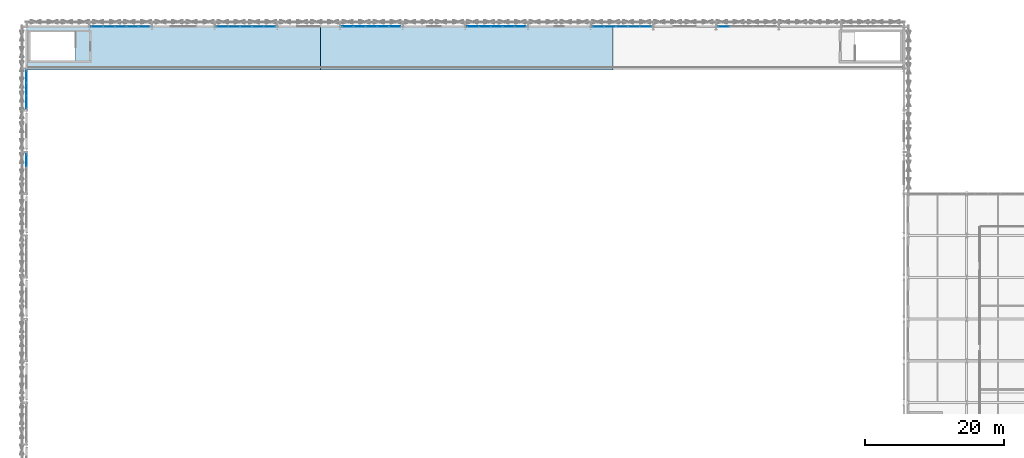
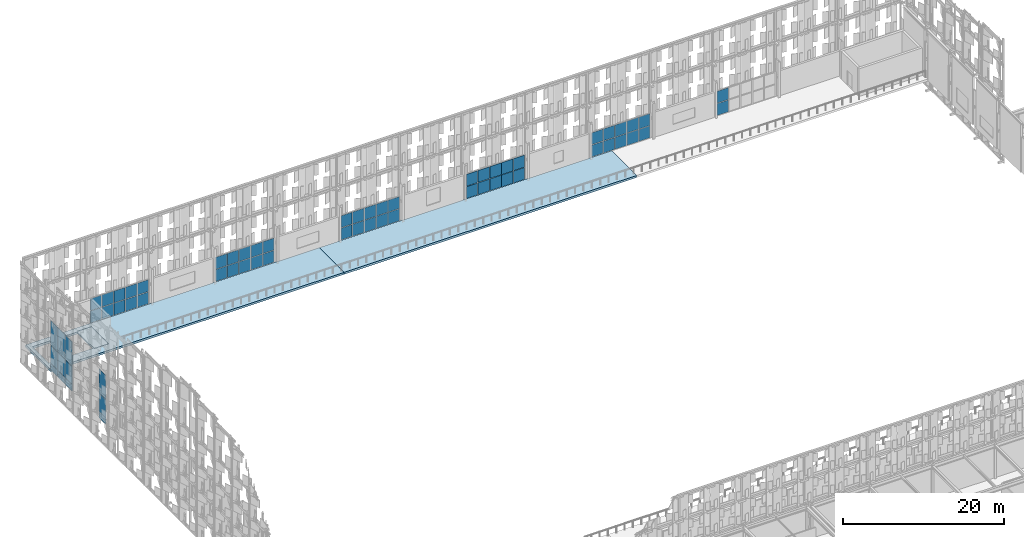
# One storey, part 140 of 210: 64 plates, 3 slabs, 8 elements without a shape of their own.
"""IFC4 building model written with IfcOpenShell, lengths in metres."""

from ifc_helpers import new_model, si_unit, direction, frame, origin, origin_2d, place, context, subcontext, project, spatial, polyline, rectangle, outline, extrude, material, layer, layer_set, type_object, element, aggregate, save


model = new_model("IFC4")

# Units and contexts
model_context = context("Model", 3, precision=1e-05, world=origin(), true_north=direction((0.0, 1.0)))
body_context = subcontext(model_context, "Body", "Model", "MODEL_VIEW")
ifc_project = project(units=[si_unit("LENGTHUNIT", "METRE"), si_unit("AREAUNIT", "SQUARE_METRE"), si_unit("VOLUMEUNIT", "CUBIC_METRE"), si_unit("PLANEANGLEUNIT", "RADIAN"), si_unit("MASSUNIT", "GRAM", prefix="KILO")], contexts=[model_context])

# Site, building, storey
site_placement = place(None, origin())
site = spatial("IfcSite", under=ifc_project, at=site_placement, CompositionType="ELEMENT")
building_placement = place(site_placement, origin())
building = spatial("IfcBuilding", under=site, at=building_placement, Name="Kaldris Quays Convention Centre", CompositionType="ELEMENT")
storey_placement = place(building_placement, frame((0.0, 0.0, 6.0)))
storey = spatial("IfcBuildingStorey", under=building, at=storey_placement, Name="L01", CompositionType="ELEMENT", Elevation=6.0)

# Curtain wall, plates
ifc_material_1 = material(Name="Anodized aluminium AW-6060 and triple glazing", Category="aluminium")
curtain_wall_type_1 = type_object("IfcCurtainWallType", Name="UNITISED CURTAIN WALL CW05", PredefinedType="NOTDEFINED", material=ifc_material_1)
curtain_wall_1_placement = place(storey_placement, origin())
curtain_wall_1 = element("IfcCurtainWall", 1, at=curtain_wall_1_placement, inside=storey, type_object=curtain_wall_type_1, Name="L01 Unitised Curtain Wall CW05 2", PredefinedType="NOTDEFINED")
ifc_material_2 = material(Name="Triple low-E insulated glazing", Category="glass")
plate_type_1 = type_object("IfcPlateType", Name="CURTAIN GLAZING PANEL CWP2", PredefinedType="CURTAIN_PANEL", material=ifc_material_2)
plate_1_placement = place(storey_placement, frame((30.114990234375, 140.0, 0.06005859375), z_axis=(0.0, 0.0, 1.0), x_axis=(1.0, 0.0, 0.0)))
plate_1 = element("IfcPlate", 2, at=plate_1_placement, type_object=plate_type_1, Name="CW05 panel 1.1", PredefinedType="CURTAIN_PANEL", context=body_context, shape_type="SweptSolid", body=[
    extrude(rectangle(XDim=1.610107421875, YDim=0.033935546875, at=origin_2d()), origin(), (0.0, 0.0, 1.0), 1.81005859375),
])
plate_2_placement = place(storey_placement, frame((30.114990234375, 140.0, 1.929931640625), z_axis=(0.0, 0.0, 1.0), x_axis=(1.0, 0.0, 0.0)))
plate_2 = element("IfcPlate", 3, at=plate_2_placement, type_object=plate_type_1, Name="CW05 panel 1.2", PredefinedType="CURTAIN_PANEL", context=body_context, shape_type="SweptSolid", body=[
    extrude(rectangle(XDim=1.610107421875, YDim=0.033935546875, at=origin_2d()), origin(), (0.0, 0.0, 1.0), 1.81005859375),
])
plate_3_placement = place(storey_placement, frame((31.800048828125, 140.0, 0.06005859375), z_axis=(0.0, 0.0, 1.0), x_axis=(1.0, 0.0, 0.0)))
plate_3 = element("IfcPlate", 4, at=plate_3_placement, type_object=plate_type_1, Name="CW05 panel 2.1", PredefinedType="CURTAIN_PANEL", context=body_context, shape_type="SweptSolid", body=[
    extrude(rectangle(XDim=1.639892578125, YDim=0.033935546875, at=origin_2d()), origin(), (0.0, 0.0, 1.0), 1.81005859375),
])
plate_4_placement = place(storey_placement, frame((31.800048828125, 140.0, 1.929931640625), z_axis=(0.0, 0.0, 1.0), x_axis=(1.0, 0.0, 0.0)))
plate_4 = element("IfcPlate", 5, at=plate_4_placement, type_object=plate_type_1, Name="CW05 panel 2.2", PredefinedType="CURTAIN_PANEL", context=body_context, shape_type="SweptSolid", body=[
    extrude(rectangle(XDim=1.639892578125, YDim=0.033935546875, at=origin_2d()), origin(), (0.0, 0.0, 1.0), 1.81005859375),
])
plate_5_placement = place(storey_placement, frame((33.5, 140.0, 0.06005859375), z_axis=(0.0, 0.0, 1.0), x_axis=(1.0, 0.0, 0.0)))
plate_5 = element("IfcPlate", 6, at=plate_5_placement, type_object=plate_type_1, Name="CW05 panel 3.1", PredefinedType="CURTAIN_PANEL", context=body_context, shape_type="SweptSolid", body=[
    extrude(rectangle(XDim=1.639892578125, YDim=0.033935546875, at=origin_2d()), origin(), (0.0, 0.0, 1.0), 1.81005859375),
])
plate_6_placement = place(storey_placement, frame((33.5, 140.0, 1.929931640625), z_axis=(0.0, 0.0, 1.0), x_axis=(1.0, 0.0, 0.0)))
plate_6 = element("IfcPlate", 7, at=plate_6_placement, type_object=plate_type_1, Name="CW05 panel 3.2", PredefinedType="CURTAIN_PANEL", context=body_context, shape_type="SweptSolid", body=[
    extrude(rectangle(XDim=1.639892578125, YDim=0.033935546875, at=origin_2d()), origin(), (0.0, 0.0, 1.0), 1.81005859375),
])
plate_7_placement = place(storey_placement, frame((35.199951171875, 140.0, 0.06005859375), z_axis=(0.0, 0.0, 1.0), x_axis=(1.0, 0.0, 0.0)))
plate_7 = element("IfcPlate", 8, at=plate_7_placement, type_object=plate_type_1, Name="CW05 panel 4.1", PredefinedType="CURTAIN_PANEL", context=body_context, shape_type="SweptSolid", body=[
    extrude(rectangle(XDim=1.639892578125, YDim=0.033935546875, at=origin_2d()), origin(), (0.0, 0.0, 1.0), 1.81005859375),
])
plate_8_placement = place(storey_placement, frame((35.199951171875, 140.0, 1.929931640625), z_axis=(0.0, 0.0, 1.0), x_axis=(1.0, 0.0, 0.0)))
plate_8 = element("IfcPlate", 9, at=plate_8_placement, type_object=plate_type_1, Name="CW05 panel 4.2", PredefinedType="CURTAIN_PANEL", context=body_context, shape_type="SweptSolid", body=[
    extrude(rectangle(XDim=1.639892578125, YDim=0.033935546875, at=origin_2d()), origin(), (0.0, 0.0, 1.0), 1.81005859375),
])
plate_9_placement = place(storey_placement, frame((36.885009765625, 140.0, 0.06005859375), z_axis=(0.0, 0.0, 1.0), x_axis=(1.0, 0.0, 0.0)))
plate_9 = element("IfcPlate", 10, at=plate_9_placement, type_object=plate_type_1, Name="CW05 panel 5.1", PredefinedType="CURTAIN_PANEL", context=body_context, shape_type="SweptSolid", body=[
    extrude(rectangle(XDim=1.610107421875, YDim=0.033935546875, at=origin_2d()), origin(), (0.0, 0.0, 1.0), 1.81005859375),
])
plate_10_placement = place(storey_placement, frame((36.885009765625, 140.0, 1.929931640625), z_axis=(0.0, 0.0, 1.0), x_axis=(1.0, 0.0, 0.0)))
plate_10 = element("IfcPlate", 11, at=plate_10_placement, type_object=plate_type_1, Name="CW05 panel 5.2", PredefinedType="CURTAIN_PANEL", context=body_context, shape_type="SweptSolid", body=[
    extrude(rectangle(XDim=1.610107421875, YDim=0.033935546875, at=origin_2d()), origin(), (0.0, 0.0, 1.0), 1.81005859375),
])
aggregate(curtain_wall_1, [plate_1, plate_2, plate_3, plate_4, plate_5, plate_6, plate_7, plate_8, plate_9, plate_10])

curtain_wall_2_placement = place(storey_placement, origin())
curtain_wall_2 = element("IfcCurtainWall", 12, at=curtain_wall_2_placement, inside=storey, type_object=curtain_wall_type_1, Name="L01 Unitised Curtain Wall CW05 10", PredefinedType="NOTDEFINED")
plate_11_placement = place(storey_placement, frame((102.114990234375, 140.0, 0.06005859375), z_axis=(0.0, 0.0, 1.0), x_axis=(1.0, 0.0, 0.0)))
plate_11 = element("IfcPlate", 13, at=plate_11_placement, type_object=plate_type_1, Name="CW05 panel 1.1", PredefinedType="CURTAIN_PANEL", context=body_context, shape_type="SweptSolid", body=[
    extrude(rectangle(XDim=1.610107421875, YDim=0.033935546875, at=origin_2d()), origin(), (0.0, 0.0, 1.0), 1.81005859375),
])
plate_12_placement = place(storey_placement, frame((102.114990234375, 140.0, 1.929931640625), z_axis=(0.0, 0.0, 1.0), x_axis=(1.0, 0.0, 0.0)))
plate_12 = element("IfcPlate", 14, at=plate_12_placement, type_object=plate_type_1, Name="CW05 panel 1.2", PredefinedType="CURTAIN_PANEL", context=body_context, shape_type="SweptSolid", body=[
    extrude(rectangle(XDim=1.610107421875, YDim=0.033935546875, at=origin_2d()), origin(), (0.0, 0.0, 1.0), 1.81005859375),
])
plate_13_placement = place(storey_placement, frame((103.800048828125, 140.0, 0.06005859375), z_axis=(0.0, 0.0, 1.0), x_axis=(1.0, 0.0, 0.0)))
plate_13 = element("IfcPlate", 15, at=plate_13_placement, type_object=plate_type_1, Name="CW05 panel 2.1", PredefinedType="CURTAIN_PANEL", context=body_context, shape_type="SweptSolid", body=[
    extrude(rectangle(XDim=1.639892578125, YDim=0.033935546875, at=origin_2d()), origin(), (0.0, 0.0, 1.0), 1.81005859375),
])
plate_14_placement = place(storey_placement, frame((103.800048828125, 140.0, 1.929931640625), z_axis=(0.0, 0.0, 1.0), x_axis=(1.0, 0.0, 0.0)))
plate_14 = element("IfcPlate", 16, at=plate_14_placement, type_object=plate_type_1, Name="CW05 panel 2.2", PredefinedType="CURTAIN_PANEL", context=body_context, shape_type="SweptSolid", body=[
    extrude(rectangle(XDim=1.639892578125, YDim=0.033935546875, at=origin_2d()), origin(), (0.0, 0.0, 1.0), 1.81005859375),
])
plate_15_placement = place(storey_placement, frame((105.5, 140.0, 0.06005859375), z_axis=(0.0, 0.0, 1.0), x_axis=(1.0, 0.0, 0.0)))
plate_15 = element("IfcPlate", 17, at=plate_15_placement, type_object=plate_type_1, Name="CW05 panel 3.1", PredefinedType="CURTAIN_PANEL", context=body_context, shape_type="SweptSolid", body=[
    extrude(rectangle(XDim=1.639892578125, YDim=0.033935546875, at=origin_2d()), origin(), (0.0, 0.0, 1.0), 1.81005859375),
])
plate_16_placement = place(storey_placement, frame((105.5, 140.0, 1.929931640625), z_axis=(0.0, 0.0, 1.0), x_axis=(1.0, 0.0, 0.0)))
plate_16 = element("IfcPlate", 18, at=plate_16_placement, type_object=plate_type_1, Name="CW05 panel 3.2", PredefinedType="CURTAIN_PANEL", context=body_context, shape_type="SweptSolid", body=[
    extrude(rectangle(XDim=1.639892578125, YDim=0.033935546875, at=origin_2d()), origin(), (0.0, 0.0, 1.0), 1.81005859375),
])
plate_17_placement = place(storey_placement, frame((107.199951171875, 140.0, 0.06005859375), z_axis=(0.0, 0.0, 1.0), x_axis=(1.0, 0.0, 0.0)))
plate_17 = element("IfcPlate", 19, at=plate_17_placement, type_object=plate_type_1, Name="CW05 panel 4.1", PredefinedType="CURTAIN_PANEL", context=body_context, shape_type="SweptSolid", body=[
    extrude(rectangle(XDim=1.639892578125, YDim=0.033935546875, at=origin_2d()), origin(), (0.0, 0.0, 1.0), 1.81005859375),
])
plate_18_placement = place(storey_placement, frame((107.199951171875, 140.0, 1.929931640625), z_axis=(0.0, 0.0, 1.0), x_axis=(1.0, 0.0, 0.0)))
plate_18 = element("IfcPlate", 20, at=plate_18_placement, type_object=plate_type_1, Name="CW05 panel 4.2", PredefinedType="CURTAIN_PANEL", context=body_context, shape_type="SweptSolid", body=[
    extrude(rectangle(XDim=1.639892578125, YDim=0.033935546875, at=origin_2d()), origin(), (0.0, 0.0, 1.0), 1.81005859375),
])
plate_19_placement = place(storey_placement, frame((108.885009765625, 140.0, 0.06005859375), z_axis=(0.0, 0.0, 1.0), x_axis=(1.0, 0.0, 0.0)))
plate_19 = element("IfcPlate", 21, at=plate_19_placement, type_object=plate_type_1, Name="CW05 panel 5.1", PredefinedType="CURTAIN_PANEL", context=body_context, shape_type="SweptSolid", body=[
    extrude(rectangle(XDim=1.610107421875, YDim=0.033935546875, at=origin_2d()), origin(), (0.0, 0.0, 1.0), 1.81005859375),
])
plate_20_placement = place(storey_placement, frame((108.885009765625, 140.0, 1.929931640625), z_axis=(0.0, 0.0, 1.0), x_axis=(1.0, 0.0, 0.0)))
plate_20 = element("IfcPlate", 22, at=plate_20_placement, type_object=plate_type_1, Name="CW05 panel 5.2", PredefinedType="CURTAIN_PANEL", context=body_context, shape_type="SweptSolid", body=[
    extrude(rectangle(XDim=1.610107421875, YDim=0.033935546875, at=origin_2d()), origin(), (0.0, 0.0, 1.0), 1.81005859375),
])
aggregate(curtain_wall_2, [plate_11, plate_12, plate_13, plate_14, plate_15, plate_16, plate_17, plate_18, plate_19, plate_20])

curtain_wall_3_placement = place(storey_placement, origin())
curtain_wall_3 = element("IfcCurtainWall", 23, at=curtain_wall_3_placement, inside=storey, type_object=curtain_wall_type_1, Name="L01 Unitised Curtain Wall CW05 4", PredefinedType="NOTDEFINED")
plate_type_2 = type_object("IfcPlateType", Name="CURTAIN GLAZING PANEL CWP4", PredefinedType="CURTAIN_PANEL", material=ifc_material_2)
plate_21_placement = place(storey_placement, frame((48.114990234375, 140.0, 0.06005859375), z_axis=(0.0, 0.0, 1.0), x_axis=(1.0, 0.0, 0.0)))
plate_21 = element("IfcPlate", 24, at=plate_21_placement, type_object=plate_type_2, Name="CW05 panel 1.1", PredefinedType="CURTAIN_PANEL", context=body_context, shape_type="SweptSolid", body=[
    extrude(rectangle(XDim=1.610107421875, YDim=0.0439453125, at=origin_2d()), origin(), (0.0, 0.0, 1.0), 1.81005859375),
])
plate_22_placement = place(storey_placement, frame((48.114990234375, 140.0, 1.929931640625), z_axis=(0.0, 0.0, 1.0), x_axis=(1.0, 0.0, 0.0)))
plate_22 = element("IfcPlate", 25, at=plate_22_placement, type_object=plate_type_2, Name="CW05 panel 1.2", PredefinedType="CURTAIN_PANEL", context=body_context, shape_type="SweptSolid", body=[
    extrude(rectangle(XDim=1.610107421875, YDim=0.0439453125, at=origin_2d()), origin(), (0.0, 0.0, 1.0), 1.81005859375),
])
plate_23_placement = place(storey_placement, frame((49.800048828125, 140.0, 0.06005859375), z_axis=(0.0, 0.0, 1.0), x_axis=(1.0, 0.0, 0.0)))
plate_23 = element("IfcPlate", 26, at=plate_23_placement, type_object=plate_type_2, Name="CW05 panel 2.1", PredefinedType="CURTAIN_PANEL", context=body_context, shape_type="SweptSolid", body=[
    extrude(rectangle(XDim=1.639892578125, YDim=0.0439453125, at=origin_2d()), origin(), (0.0, 0.0, 1.0), 1.81005859375),
])
plate_24_placement = place(storey_placement, frame((49.800048828125, 140.0, 1.929931640625), z_axis=(0.0, 0.0, 1.0), x_axis=(1.0, 0.0, 0.0)))
plate_24 = element("IfcPlate", 27, at=plate_24_placement, type_object=plate_type_2, Name="CW05 panel 2.2", PredefinedType="CURTAIN_PANEL", context=body_context, shape_type="SweptSolid", body=[
    extrude(rectangle(XDim=1.639892578125, YDim=0.0439453125, at=origin_2d()), origin(), (0.0, 0.0, 1.0), 1.81005859375),
])
plate_25_placement = place(storey_placement, frame((51.5, 140.0, 0.06005859375), z_axis=(0.0, 0.0, 1.0), x_axis=(1.0, 0.0, 0.0)))
plate_25 = element("IfcPlate", 28, at=plate_25_placement, type_object=plate_type_2, Name="CW05 panel 3.1", PredefinedType="CURTAIN_PANEL", context=body_context, shape_type="SweptSolid", body=[
    extrude(rectangle(XDim=1.639892578125, YDim=0.0439453125, at=origin_2d()), origin(), (0.0, 0.0, 1.0), 1.81005859375),
])
plate_26_placement = place(storey_placement, frame((51.5, 140.0, 1.929931640625), z_axis=(0.0, 0.0, 1.0), x_axis=(1.0, 0.0, 0.0)))
plate_26 = element("IfcPlate", 29, at=plate_26_placement, type_object=plate_type_2, Name="CW05 panel 3.2", PredefinedType="CURTAIN_PANEL", context=body_context, shape_type="SweptSolid", body=[
    extrude(rectangle(XDim=1.639892578125, YDim=0.0439453125, at=origin_2d()), origin(), (0.0, 0.0, 1.0), 1.81005859375),
])
plate_27_placement = place(storey_placement, frame((53.199951171875, 140.0, 0.06005859375), z_axis=(0.0, 0.0, 1.0), x_axis=(1.0, 0.0, 0.0)))
plate_27 = element("IfcPlate", 30, at=plate_27_placement, type_object=plate_type_2, Name="CW05 panel 4.1", PredefinedType="CURTAIN_PANEL", context=body_context, shape_type="SweptSolid", body=[
    extrude(rectangle(XDim=1.639892578125, YDim=0.0439453125, at=origin_2d()), origin(), (0.0, 0.0, 1.0), 1.81005859375),
])
plate_28_placement = place(storey_placement, frame((53.199951171875, 140.0, 1.929931640625), z_axis=(0.0, 0.0, 1.0), x_axis=(1.0, 0.0, 0.0)))
plate_28 = element("IfcPlate", 31, at=plate_28_placement, type_object=plate_type_2, Name="CW05 panel 4.2", PredefinedType="CURTAIN_PANEL", context=body_context, shape_type="SweptSolid", body=[
    extrude(rectangle(XDim=1.639892578125, YDim=0.0439453125, at=origin_2d()), origin(), (0.0, 0.0, 1.0), 1.81005859375),
])
plate_29_placement = place(storey_placement, frame((54.885009765625, 140.0, 0.06005859375), z_axis=(0.0, 0.0, 1.0), x_axis=(1.0, 0.0, 0.0)))
plate_29 = element("IfcPlate", 32, at=plate_29_placement, type_object=plate_type_2, Name="CW05 panel 5.1", PredefinedType="CURTAIN_PANEL", context=body_context, shape_type="SweptSolid", body=[
    extrude(rectangle(XDim=1.610107421875, YDim=0.0439453125, at=origin_2d()), origin(), (0.0, 0.0, 1.0), 1.81005859375),
])
plate_30_placement = place(storey_placement, frame((54.885009765625, 140.0, 1.929931640625), z_axis=(0.0, 0.0, 1.0), x_axis=(1.0, 0.0, 0.0)))
plate_30 = element("IfcPlate", 33, at=plate_30_placement, type_object=plate_type_2, Name="CW05 panel 5.2", PredefinedType="CURTAIN_PANEL", context=body_context, shape_type="SweptSolid", body=[
    extrude(rectangle(XDim=1.610107421875, YDim=0.0439453125, at=origin_2d()), origin(), (0.0, 0.0, 1.0), 1.81005859375),
])
aggregate(curtain_wall_3, [plate_21, plate_22, plate_23, plate_24, plate_25, plate_26, plate_27, plate_28, plate_29, plate_30])

curtain_wall_4_placement = place(storey_placement, origin())
curtain_wall_4 = element("IfcCurtainWall", 34, at=curtain_wall_4_placement, inside=storey, type_object=curtain_wall_type_1, Name="L01 Unitised Curtain Wall CW05 12", PredefinedType="NOTDEFINED")
plate_31_placement = place(storey_placement, frame((120.114990234375, 140.0, 0.06005859375), z_axis=(0.0, 0.0, 1.0), x_axis=(1.0, 0.0, 0.0)))
plate_31 = element("IfcPlate", 35, at=plate_31_placement, type_object=plate_type_2, Name="CW05 panel 1.1", PredefinedType="CURTAIN_PANEL", context=body_context, shape_type="SweptSolid", body=[
    extrude(rectangle(XDim=1.610107421875, YDim=0.0439453125, at=origin_2d()), origin(), (0.0, 0.0, 1.0), 1.81005859375),
])
plate_32_placement = place(storey_placement, frame((120.114990234375, 140.0, 1.929931640625), z_axis=(0.0, 0.0, 1.0), x_axis=(1.0, 0.0, 0.0)))
plate_32 = element("IfcPlate", 36, at=plate_32_placement, type_object=plate_type_2, Name="CW05 panel 1.2", PredefinedType="CURTAIN_PANEL", context=body_context, shape_type="SweptSolid", body=[
    extrude(rectangle(XDim=1.610107421875, YDim=0.0439453125, at=origin_2d()), origin(), (0.0, 0.0, 1.0), 1.81005859375),
])
aggregate(curtain_wall_4, [plate_31, plate_32])

curtain_wall_type_2 = type_object("IfcCurtainWallType", Name="UNITISED CURTAIN WALL CW03", PredefinedType="NOTDEFINED", material=ifc_material_1)
curtain_wall_5_placement = place(storey_placement, origin())
curtain_wall_5 = element("IfcCurtainWall", 37, at=curtain_wall_5_placement, inside=storey, type_object=curtain_wall_type_2, Name="L01 Unitised Curtain Wall CW03 20", PredefinedType="NOTDEFINED")
plate_33_placement = place(storey_placement, frame((20.0, 120.818359375, 0.06005859375), z_axis=(0.0, 0.0, 1.0), x_axis=(0.0, 1.0, 0.0)))
plate_33 = element("IfcPlate", 38, at=plate_33_placement, type_object=plate_type_2, Name="CW03 panel 3.1", PredefinedType="CURTAIN_PANEL", context=body_context, shape_type="SweptSolid", body=[
    extrude(rectangle(XDim=1.743408203125, YDim=0.0439453125, at=origin_2d()), origin(), (0.0, 0.0, 1.0), 0.9599609375),
])
plate_34_placement = place(storey_placement, frame((20.0, 120.818359375, 1.080078125), z_axis=(0.0, 0.0, 1.0), x_axis=(0.0, 1.0, 0.0)))
plate_34 = element("IfcPlate", 39, at=plate_34_placement, type_object=plate_type_2, Name="CW03 panel 3.2", PredefinedType="CURTAIN_PANEL", context=body_context, shape_type="SweptSolid", body=[
    extrude(rectangle(XDim=1.743408203125, YDim=0.0439453125, at=origin_2d()), origin(), (0.0, 0.0, 1.0), 2.68994140625),
])
plate_35_placement = place(storey_placement, frame((20.0, 120.818359375, 3.830078125), z_axis=(0.0, 0.0, 1.0), x_axis=(0.0, 1.0, 0.0)))
plate_35 = element("IfcPlate", 40, at=plate_35_placement, type_object=plate_type_2, Name="CW03 panel 3.3", PredefinedType="CURTAIN_PANEL", context=body_context, shape_type="SweptSolid", body=[
    extrude(rectangle(XDim=1.743408203125, YDim=0.0439453125, at=origin_2d()), origin(), (0.0, 0.0, 1.0), 3.7099609375),
])
aggregate(curtain_wall_5, [plate_33, plate_34, plate_35])

curtain_wall_6_placement = place(storey_placement, origin())
curtain_wall_6 = element("IfcCurtainWall", 41, at=curtain_wall_6_placement, inside=storey, type_object=curtain_wall_type_2, Name="L01 Unitised Curtain Wall CW03 21", PredefinedType="NOTDEFINED")
plate_type_3 = type_object("IfcPlateType", Name="CURTAIN GLAZING PANEL CWP5", PredefinedType="CURTAIN_PANEL", material=ifc_material_2)
plate_36_placement = place(storey_placement, frame((20.0, 129.181640625, 0.06005859375), z_axis=(0.0, 0.0, 1.0), x_axis=(0.0, 1.0, 0.0)))
plate_36 = element("IfcPlate", 42, at=plate_36_placement, type_object=plate_type_3, Name="CW03 panel 1.1", PredefinedType="CURTAIN_PANEL", context=body_context, shape_type="SweptSolid", body=[
    extrude(rectangle(XDim=1.743408203125, YDim=0.049072265625, at=origin_2d()), origin(), (0.0, 0.0, 1.0), 0.9599609375),
])
plate_37_placement = place(storey_placement, frame((20.0, 129.181640625, 1.080078125), z_axis=(0.0, 0.0, 1.0), x_axis=(0.0, 1.0, 0.0)))
plate_37 = element("IfcPlate", 43, at=plate_37_placement, type_object=plate_type_3, Name="CW03 panel 1.2", PredefinedType="CURTAIN_PANEL", context=body_context, shape_type="SweptSolid", body=[
    extrude(rectangle(XDim=1.743408203125, YDim=0.049072265625, at=origin_2d()), origin(), (0.0, 0.0, 1.0), 2.68994140625),
])
plate_38_placement = place(storey_placement, frame((20.0, 129.181640625, 3.830078125), z_axis=(0.0, 0.0, 1.0), x_axis=(0.0, 1.0, 0.0)))
plate_38 = element("IfcPlate", 44, at=plate_38_placement, type_object=plate_type_3, Name="CW03 panel 1.3", PredefinedType="CURTAIN_PANEL", context=body_context, shape_type="SweptSolid", body=[
    extrude(rectangle(XDim=1.743408203125, YDim=0.049072265625, at=origin_2d()), origin(), (0.0, 0.0, 1.0), 3.7099609375),
])
plate_39_placement = place(storey_placement, frame((20.0, 131.0, 0.06005859375), z_axis=(0.0, 0.0, 1.0), x_axis=(0.0, 1.0, 0.0)))
plate_39 = element("IfcPlate", 45, at=plate_39_placement, type_object=plate_type_3, Name="CW03 panel 2.1", PredefinedType="CURTAIN_PANEL", context=body_context, shape_type="SweptSolid", body=[
    extrude(rectangle(XDim=1.7734375, YDim=0.049072265625, at=origin_2d()), origin(), (0.0, 0.0, 1.0), 0.9599609375),
])
plate_40_placement = place(storey_placement, frame((20.0, 131.0, 1.080078125), z_axis=(0.0, 0.0, 1.0), x_axis=(0.0, 1.0, 0.0)))
plate_40 = element("IfcPlate", 46, at=plate_40_placement, type_object=plate_type_3, Name="CW03 panel 2.2", PredefinedType="CURTAIN_PANEL", context=body_context, shape_type="SweptSolid", body=[
    extrude(rectangle(XDim=1.7734375, YDim=0.049072265625, at=origin_2d()), origin(), (0.0, 0.0, 1.0), 2.68994140625),
])
plate_41_placement = place(storey_placement, frame((20.0, 131.0, 3.830078125), z_axis=(0.0, 0.0, 1.0), x_axis=(0.0, 1.0, 0.0)))
plate_41 = element("IfcPlate", 47, at=plate_41_placement, type_object=plate_type_3, Name="CW03 panel 2.3", PredefinedType="CURTAIN_PANEL", context=body_context, shape_type="SweptSolid", body=[
    extrude(rectangle(XDim=1.7734375, YDim=0.049072265625, at=origin_2d()), origin(), (0.0, 0.0, 1.0), 3.7099609375),
])
plate_42_placement = place(storey_placement, frame((20.0, 132.818359375, 0.06005859375), z_axis=(0.0, 0.0, 1.0), x_axis=(0.0, 1.0, 0.0)))
plate_42 = element("IfcPlate", 48, at=plate_42_placement, type_object=plate_type_3, Name="CW03 panel 3.1", PredefinedType="CURTAIN_PANEL", context=body_context, shape_type="SweptSolid", body=[
    extrude(rectangle(XDim=1.743408203125, YDim=0.049072265625, at=origin_2d()), origin(), (0.0, 0.0, 1.0), 0.9599609375),
])
plate_43_placement = place(storey_placement, frame((20.0, 132.818359375, 1.080078125), z_axis=(0.0, 0.0, 1.0), x_axis=(0.0, 1.0, 0.0)))
plate_43 = element("IfcPlate", 49, at=plate_43_placement, type_object=plate_type_3, Name="CW03 panel 3.2", PredefinedType="CURTAIN_PANEL", context=body_context, shape_type="SweptSolid", body=[
    extrude(rectangle(XDim=1.743408203125, YDim=0.049072265625, at=origin_2d()), origin(), (0.0, 0.0, 1.0), 2.68994140625),
])
plate_44_placement = place(storey_placement, frame((20.0, 132.818359375, 3.830078125), z_axis=(0.0, 0.0, 1.0), x_axis=(0.0, 1.0, 0.0)))
plate_44 = element("IfcPlate", 50, at=plate_44_placement, type_object=plate_type_3, Name="CW03 panel 3.3", PredefinedType="CURTAIN_PANEL", context=body_context, shape_type="SweptSolid", body=[
    extrude(rectangle(XDim=1.743408203125, YDim=0.049072265625, at=origin_2d()), origin(), (0.0, 0.0, 1.0), 3.7099609375),
])
aggregate(curtain_wall_6, [plate_36, plate_37, plate_38, plate_39, plate_40, plate_41, plate_42, plate_43, plate_44])

curtain_wall_7_placement = place(storey_placement, origin())
curtain_wall_7 = element("IfcCurtainWall", 51, at=curtain_wall_7_placement, inside=storey, type_object=curtain_wall_type_1, Name="L01 Unitised Curtain Wall CW05 6", PredefinedType="NOTDEFINED")
plate_type_4 = type_object("IfcPlateType", Name="CURTAIN GLAZING PANEL CWP6", PredefinedType="CURTAIN_PANEL", material=ifc_material_2)
plate_45_placement = place(storey_placement, frame((66.114990234375, 140.0, 0.06005859375), z_axis=(0.0, 0.0, 1.0), x_axis=(1.0, 0.0, 0.0)))
plate_45 = element("IfcPlate", 52, at=plate_45_placement, type_object=plate_type_4, Name="CW05 panel 1.1", PredefinedType="CURTAIN_PANEL", context=body_context, shape_type="SweptSolid", body=[
    extrude(rectangle(XDim=1.610107421875, YDim=0.053955078125, at=origin_2d()), origin(), (0.0, 0.0, 1.0), 1.81005859375),
])
plate_46_placement = place(storey_placement, frame((66.114990234375, 140.0, 1.929931640625), z_axis=(0.0, 0.0, 1.0), x_axis=(1.0, 0.0, 0.0)))
plate_46 = element("IfcPlate", 53, at=plate_46_placement, type_object=plate_type_4, Name="CW05 panel 1.2", PredefinedType="CURTAIN_PANEL", context=body_context, shape_type="SweptSolid", body=[
    extrude(rectangle(XDim=1.610107421875, YDim=0.053955078125, at=origin_2d()), origin(), (0.0, 0.0, 1.0), 1.81005859375),
])
plate_47_placement = place(storey_placement, frame((67.800048828125, 140.0, 0.06005859375), z_axis=(0.0, 0.0, 1.0), x_axis=(1.0, 0.0, 0.0)))
plate_47 = element("IfcPlate", 54, at=plate_47_placement, type_object=plate_type_4, Name="CW05 panel 2.1", PredefinedType="CURTAIN_PANEL", context=body_context, shape_type="SweptSolid", body=[
    extrude(rectangle(XDim=1.639892578125, YDim=0.053955078125, at=origin_2d()), origin(), (0.0, 0.0, 1.0), 1.81005859375),
])
plate_48_placement = place(storey_placement, frame((67.800048828125, 140.0, 1.929931640625), z_axis=(0.0, 0.0, 1.0), x_axis=(1.0, 0.0, 0.0)))
plate_48 = element("IfcPlate", 55, at=plate_48_placement, type_object=plate_type_4, Name="CW05 panel 2.2", PredefinedType="CURTAIN_PANEL", context=body_context, shape_type="SweptSolid", body=[
    extrude(rectangle(XDim=1.639892578125, YDim=0.053955078125, at=origin_2d()), origin(), (0.0, 0.0, 1.0), 1.81005859375),
])
plate_49_placement = place(storey_placement, frame((69.5, 140.0, 0.06005859375), z_axis=(0.0, 0.0, 1.0), x_axis=(1.0, 0.0, 0.0)))
plate_49 = element("IfcPlate", 56, at=plate_49_placement, type_object=plate_type_4, Name="CW05 panel 3.1", PredefinedType="CURTAIN_PANEL", context=body_context, shape_type="SweptSolid", body=[
    extrude(rectangle(XDim=1.639892578125, YDim=0.053955078125, at=origin_2d()), origin(), (0.0, 0.0, 1.0), 1.81005859375),
])
plate_50_placement = place(storey_placement, frame((69.5, 140.0, 1.929931640625), z_axis=(0.0, 0.0, 1.0), x_axis=(1.0, 0.0, 0.0)))
plate_50 = element("IfcPlate", 57, at=plate_50_placement, type_object=plate_type_4, Name="CW05 panel 3.2", PredefinedType="CURTAIN_PANEL", context=body_context, shape_type="SweptSolid", body=[
    extrude(rectangle(XDim=1.639892578125, YDim=0.053955078125, at=origin_2d()), origin(), (0.0, 0.0, 1.0), 1.81005859375),
])
plate_51_placement = place(storey_placement, frame((71.199951171875, 140.0, 0.06005859375), z_axis=(0.0, 0.0, 1.0), x_axis=(1.0, 0.0, 0.0)))
plate_51 = element("IfcPlate", 58, at=plate_51_placement, type_object=plate_type_4, Name="CW05 panel 4.1", PredefinedType="CURTAIN_PANEL", context=body_context, shape_type="SweptSolid", body=[
    extrude(rectangle(XDim=1.639892578125, YDim=0.053955078125, at=origin_2d()), origin(), (0.0, 0.0, 1.0), 1.81005859375),
])
plate_52_placement = place(storey_placement, frame((71.199951171875, 140.0, 1.929931640625), z_axis=(0.0, 0.0, 1.0), x_axis=(1.0, 0.0, 0.0)))
plate_52 = element("IfcPlate", 59, at=plate_52_placement, type_object=plate_type_4, Name="CW05 panel 4.2", PredefinedType="CURTAIN_PANEL", context=body_context, shape_type="SweptSolid", body=[
    extrude(rectangle(XDim=1.639892578125, YDim=0.053955078125, at=origin_2d()), origin(), (0.0, 0.0, 1.0), 1.81005859375),
])
plate_53_placement = place(storey_placement, frame((72.885009765625, 140.0, 0.06005859375), z_axis=(0.0, 0.0, 1.0), x_axis=(1.0, 0.0, 0.0)))
plate_53 = element("IfcPlate", 60, at=plate_53_placement, type_object=plate_type_4, Name="CW05 panel 5.1", PredefinedType="CURTAIN_PANEL", context=body_context, shape_type="SweptSolid", body=[
    extrude(rectangle(XDim=1.610107421875, YDim=0.053955078125, at=origin_2d()), origin(), (0.0, 0.0, 1.0), 1.81005859375),
])
plate_54_placement = place(storey_placement, frame((72.885009765625, 140.0, 1.929931640625), z_axis=(0.0, 0.0, 1.0), x_axis=(1.0, 0.0, 0.0)))
plate_54 = element("IfcPlate", 61, at=plate_54_placement, type_object=plate_type_4, Name="CW05 panel 5.2", PredefinedType="CURTAIN_PANEL", context=body_context, shape_type="SweptSolid", body=[
    extrude(rectangle(XDim=1.610107421875, YDim=0.053955078125, at=origin_2d()), origin(), (0.0, 0.0, 1.0), 1.81005859375),
])
aggregate(curtain_wall_7, [plate_45, plate_46, plate_47, plate_48, plate_49, plate_50, plate_51, plate_52, plate_53, plate_54])

curtain_wall_8_placement = place(storey_placement, origin())
curtain_wall_8 = element("IfcCurtainWall", 62, at=curtain_wall_8_placement, inside=storey, type_object=curtain_wall_type_1, Name="L01 Unitised Curtain Wall CW05 8", PredefinedType="NOTDEFINED")
plate_type_5 = type_object("IfcPlateType", Name="CURTAIN GLAZING PANEL CWP8", PredefinedType="CURTAIN_PANEL", material=ifc_material_2)
plate_55_placement = place(storey_placement, frame((84.114990234375, 140.0, 0.06005859375), z_axis=(0.0, 0.0, 1.0), x_axis=(1.0, 0.0, 0.0)))
plate_55 = element("IfcPlate", 63, at=plate_55_placement, type_object=plate_type_5, Name="CW05 panel 1.1", PredefinedType="CURTAIN_PANEL", context=body_context, shape_type="SweptSolid", body=[
    extrude(rectangle(XDim=1.610107421875, YDim=0.06396484375, at=origin_2d()), origin(), (0.0, 0.0, 1.0), 1.81005859375),
])
plate_56_placement = place(storey_placement, frame((84.114990234375, 140.0, 1.929931640625), z_axis=(0.0, 0.0, 1.0), x_axis=(1.0, 0.0, 0.0)))
plate_56 = element("IfcPlate", 64, at=plate_56_placement, type_object=plate_type_5, Name="CW05 panel 1.2", PredefinedType="CURTAIN_PANEL", context=body_context, shape_type="SweptSolid", body=[
    extrude(rectangle(XDim=1.610107421875, YDim=0.06396484375, at=origin_2d()), origin(), (0.0, 0.0, 1.0), 1.81005859375),
])
plate_57_placement = place(storey_placement, frame((85.800048828125, 140.0, 0.06005859375), z_axis=(0.0, 0.0, 1.0), x_axis=(1.0, 0.0, 0.0)))
plate_57 = element("IfcPlate", 65, at=plate_57_placement, type_object=plate_type_5, Name="CW05 panel 2.1", PredefinedType="CURTAIN_PANEL", context=body_context, shape_type="SweptSolid", body=[
    extrude(rectangle(XDim=1.639892578125, YDim=0.06396484375, at=origin_2d()), origin(), (0.0, 0.0, 1.0), 1.81005859375),
])
plate_58_placement = place(storey_placement, frame((85.800048828125, 140.0, 1.929931640625), z_axis=(0.0, 0.0, 1.0), x_axis=(1.0, 0.0, 0.0)))
plate_58 = element("IfcPlate", 66, at=plate_58_placement, type_object=plate_type_5, Name="CW05 panel 2.2", PredefinedType="CURTAIN_PANEL", context=body_context, shape_type="SweptSolid", body=[
    extrude(rectangle(XDim=1.639892578125, YDim=0.06396484375, at=origin_2d()), origin(), (0.0, 0.0, 1.0), 1.81005859375),
])
plate_59_placement = place(storey_placement, frame((87.5, 140.0, 0.06005859375), z_axis=(0.0, 0.0, 1.0), x_axis=(1.0, 0.0, 0.0)))
plate_59 = element("IfcPlate", 67, at=plate_59_placement, type_object=plate_type_5, Name="CW05 panel 3.1", PredefinedType="CURTAIN_PANEL", context=body_context, shape_type="SweptSolid", body=[
    extrude(rectangle(XDim=1.639892578125, YDim=0.06396484375, at=origin_2d()), origin(), (0.0, 0.0, 1.0), 1.81005859375),
])
plate_60_placement = place(storey_placement, frame((87.5, 140.0, 1.929931640625), z_axis=(0.0, 0.0, 1.0), x_axis=(1.0, 0.0, 0.0)))
plate_60 = element("IfcPlate", 68, at=plate_60_placement, type_object=plate_type_5, Name="CW05 panel 3.2", PredefinedType="CURTAIN_PANEL", context=body_context, shape_type="SweptSolid", body=[
    extrude(rectangle(XDim=1.639892578125, YDim=0.06396484375, at=origin_2d()), origin(), (0.0, 0.0, 1.0), 1.81005859375),
])
plate_61_placement = place(storey_placement, frame((89.199951171875, 140.0, 0.06005859375), z_axis=(0.0, 0.0, 1.0), x_axis=(1.0, 0.0, 0.0)))
plate_61 = element("IfcPlate", 69, at=plate_61_placement, type_object=plate_type_5, Name="CW05 panel 4.1", PredefinedType="CURTAIN_PANEL", context=body_context, shape_type="SweptSolid", body=[
    extrude(rectangle(XDim=1.639892578125, YDim=0.06396484375, at=origin_2d()), origin(), (0.0, 0.0, 1.0), 1.81005859375),
])
plate_62_placement = place(storey_placement, frame((89.199951171875, 140.0, 1.929931640625), z_axis=(0.0, 0.0, 1.0), x_axis=(1.0, 0.0, 0.0)))
plate_62 = element("IfcPlate", 70, at=plate_62_placement, type_object=plate_type_5, Name="CW05 panel 4.2", PredefinedType="CURTAIN_PANEL", context=body_context, shape_type="SweptSolid", body=[
    extrude(rectangle(XDim=1.639892578125, YDim=0.06396484375, at=origin_2d()), origin(), (0.0, 0.0, 1.0), 1.81005859375),
])
plate_63_placement = place(storey_placement, frame((90.885009765625, 140.0, 0.06005859375), z_axis=(0.0, 0.0, 1.0), x_axis=(1.0, 0.0, 0.0)))
plate_63 = element("IfcPlate", 71, at=plate_63_placement, type_object=plate_type_5, Name="CW05 panel 5.1", PredefinedType="CURTAIN_PANEL", context=body_context, shape_type="SweptSolid", body=[
    extrude(rectangle(XDim=1.610107421875, YDim=0.06396484375, at=origin_2d()), origin(), (0.0, 0.0, 1.0), 1.81005859375),
])
plate_64_placement = place(storey_placement, frame((90.885009765625, 140.0, 1.929931640625), z_axis=(0.0, 0.0, 1.0), x_axis=(1.0, 0.0, 0.0)))
plate_64 = element("IfcPlate", 72, at=plate_64_placement, type_object=plate_type_5, Name="CW05 panel 5.2", PredefinedType="CURTAIN_PANEL", context=body_context, shape_type="SweptSolid", body=[
    extrude(rectangle(XDim=1.610107421875, YDim=0.06396484375, at=origin_2d()), origin(), (0.0, 0.0, 1.0), 1.81005859375),
])
aggregate(curtain_wall_8, [plate_55, plate_56, plate_57, plate_58, plate_59, plate_60, plate_61, plate_62, plate_63, plate_64])

# Slabs
ifc_material_3 = material(Name="Concrete C35/45", Category="concrete")
ifc_layer_1 = layer(ifc_material_3, 0.31494140625)
ifc_layer_set_1 = layer_set([ifc_layer_1], Name="Concrete C35/45")
slab_type_1 = type_object("IfcSlabType", Name="STRUCTURAL SLAB FS03", PredefinedType="FLOOR", material=ifc_layer_set_1)
slab_1_placement = place(storey_placement, frame((0.0, 0.0, -0.31494140625)))
element("IfcSlab", 73, at=slab_1_placement, inside=storey, type_object=slab_type_1, Name="L01 V1 North Gallery 1 SLAB-L01-V1GN-1", PredefinedType="FLOOR", context=body_context, shape_type="SweptSolid", body=[
    extrude(outline(polyline([(20.0, 133.800048828125), (20.0, 140.0), (62.199951171875, 140.0), (62.199951171875, 133.800048828125), (20.0, 133.800048828125)]), holes=[polyline([(26.9990234375, 135.0283203125), (29.07177734375, 135.029052734375), (29.071044921875, 139.32177734375), (26.999755859375, 139.322021484375), (26.998046875, 139.199951171875), (20.550048828125, 139.199951171875), (20.550048828125, 135.14990234375), (26.998046875, 135.14990234375), (26.9990234375, 135.0283203125)])]), origin(), (0.0, 0.0, 1.0), 0.31494140625),
])
slab_2_placement = place(storey_placement, frame((0.0, 0.0, -0.31494140625)))
element("IfcSlab", 74, at=slab_2_placement, inside=storey, type_object=slab_type_1, Name="L01 V1 North Gallery 2 SLAB-L01-V1GN-2", PredefinedType="FLOOR", context=body_context, shape_type="SweptSolid", body=[
    extrude(outline(polyline([(104.199951171875, 140.0), (104.199951171875, 133.800048828125), (62.201904296875, 133.800048828125), (62.201904296875, 140.0), (104.199951171875, 140.0)])), origin(), (0.0, 0.0, 1.0), 0.31494140625),
])
ifc_layer_2 = layer(ifc_material_3, 0.27490234375)
ifc_layer_set_2 = layer_set([ifc_layer_2], Name="Concrete C35/45")
slab_type_2 = type_object("IfcSlabType", Name="STRUCTURAL SLAB FS05", PredefinedType="FLOOR", material=ifc_layer_set_2)
slab_3_placement = place(storey_placement, frame((0.0, 0.0, -0.27490234375)))
element("IfcSlab", 75, at=slab_3_placement, inside=storey, type_object=slab_type_2, Name="L01 ST03 Core Floor Landing Slab", PredefinedType="FLOOR", context=body_context, shape_type="SweptSolid", body=[
    extrude(outline(polyline([(29.070068359375, 139.320068359375), (27.0, 139.320068359375), (27.0, 135.030029296875), (29.070068359375, 135.030029296875), (29.070068359375, 139.320068359375)])), origin(), (0.0, 0.0, 1.0), 0.27490234375),
])

save(model, "model.ifc")
